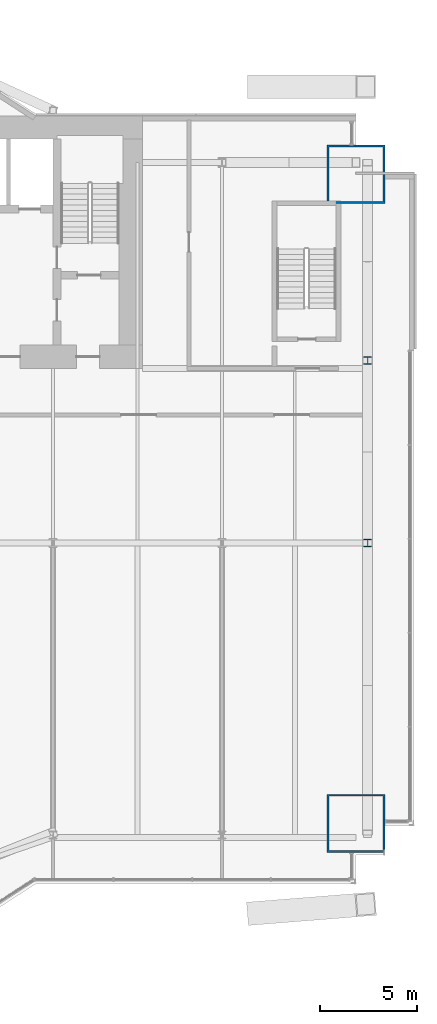
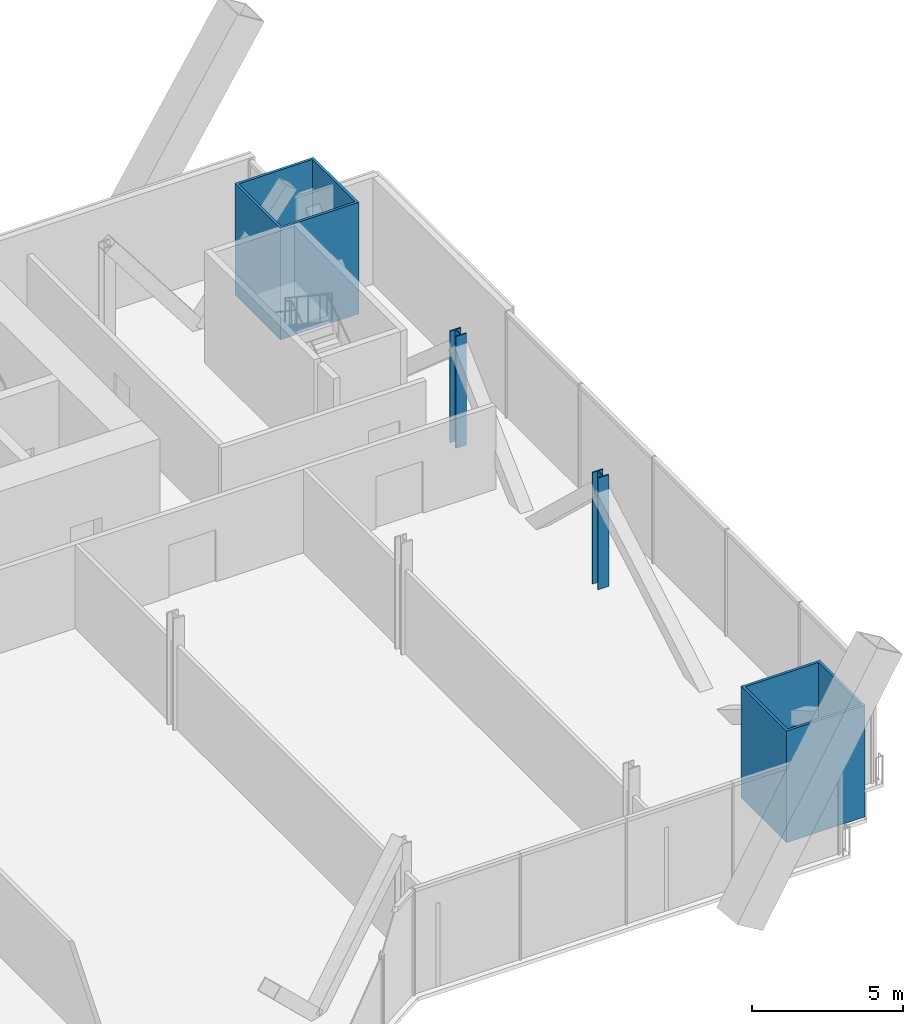
# One storey, part 3 of 21: 4 columns.
"""IFC4 building model written with IfcOpenShell, lengths in metres."""

from ifc_helpers import new_model, si_unit, direction, frame, origin, origin_2d, place, context, subcontext, project, spatial, hollow_rectangle, i_section, extrude, material, material_profile, profile_set, type_object, element, save


model = new_model("IFC4")

# Units and contexts
model_context = context("Model", 3, precision=1e-05, world=origin(), true_north=direction((0.0, 1.0)))
body_context = subcontext(model_context, "Body", "Model", "MODEL_VIEW")
ifc_project = project(units=[si_unit("LENGTHUNIT", "METRE"), si_unit("AREAUNIT", "SQUARE_METRE"), si_unit("VOLUMEUNIT", "CUBIC_METRE"), si_unit("PLANEANGLEUNIT", "RADIAN"), si_unit("MASSUNIT", "GRAM", prefix="KILO")], contexts=[model_context])

# Site, building, storey
site_placement = place(None, origin())
site = spatial("IfcSite", under=ifc_project, at=site_placement, CompositionType="ELEMENT")
building_placement = place(site_placement, origin())
building = spatial("IfcBuilding", under=site, at=building_placement, Name="Bicima Exchange Tower", CompositionType="ELEMENT")
storey_placement = place(building_placement, frame((0.0, 0.0, 80.0)))
storey = spatial("IfcBuildingStorey", under=building, at=storey_placement, Name="L16", CompositionType="ELEMENT", Elevation=80.0)

# Columns
ifc_material_1 = material(Name="Steel ASTM A572 Gr 50", Category="steel")
ifc_material_profile_1 = material_profile(ifc_material_1, hollow_rectangle(XDim=3.0, YDim=3.0, WallThickness=0.10009765625, at=origin_2d()))
ifc_profile_set_1 = profile_set([ifc_material_profile_1], Name="Steel ASTM A572 Gr 50")
column_type_1 = type_object("IfcColumnType", Name="Mega column BOX 3000x3000x100", PredefinedType="COLUMN", material=ifc_profile_set_1)
for number, where, z_axis, x_axis, name in (
    (1, (33.0, -36.43798828125, 0.0), (0.0, 0.0, 1.0), (1.0, 0.0, 0.0), "Mega column mega+33.0f"),
    (2, (33.0, -3.0, 0.0), (0.0, 0.0, 1.0), (1.0, 0.0, 0.0), "Mega column mega+33.0r"),
):
    element("IfcColumn", number, at=place(storey_placement, frame(where, z_axis=z_axis, x_axis=x_axis)), inside=storey, type_object=column_type_1, Name=name, PredefinedType="COLUMN", context=body_context, shape_type="SweptSolid", body=[
        extrude(hollow_rectangle(XDim=3.0, YDim=3.0, WallThickness=0.10009765625, at=origin_2d()), origin(), (0.0, 0.0, 1.0), 4.5),
    ])
ifc_material_2 = material(Name="Steel ASTM A992 Gr 50", Category="steel")
ifc_material_profile_2 = material_profile(ifc_material_2, i_section(OverallWidth=0.406494140625, OverallDepth=0.41650390625, WebThickness=0.030029296875, FlangeThickness=0.048095703125, at=origin_2d()))
ifc_profile_set_2 = profile_set([ifc_material_profile_2], Name="Steel ASTM A992 Gr 50")
column_type_2 = type_object("IfcColumnType", Name="Perimeter column W14x257", PredefinedType="COLUMN", material=ifc_profile_set_2)
for number, where, z_axis, x_axis, name in (
    (3, (33.60009765625, -12.60009765625, 0.0), (0.0, 0.0, 1.0), (1.0, 0.0, 0.0), "End column end+33.6e"),
    (4, (33.60009765625, -22.0, 0.0), (0.0, 0.0, 1.0), (1.0, 0.0, 0.0), "End column end+33.6e"),
):
    element("IfcColumn", number, at=place(storey_placement, frame(where, z_axis=z_axis, x_axis=x_axis)), inside=storey, type_object=column_type_2, Name=name, PredefinedType="COLUMN", context=body_context, shape_type="SweptSolid", body=[
        extrude(i_section(OverallWidth=0.406494140625, OverallDepth=0.41650390625, WebThickness=0.030029296875, FlangeThickness=0.048095703125, at=origin_2d()), origin(), (0.0, 0.0, 1.0), 4.5),
    ])

save(model, "model.ifc")
